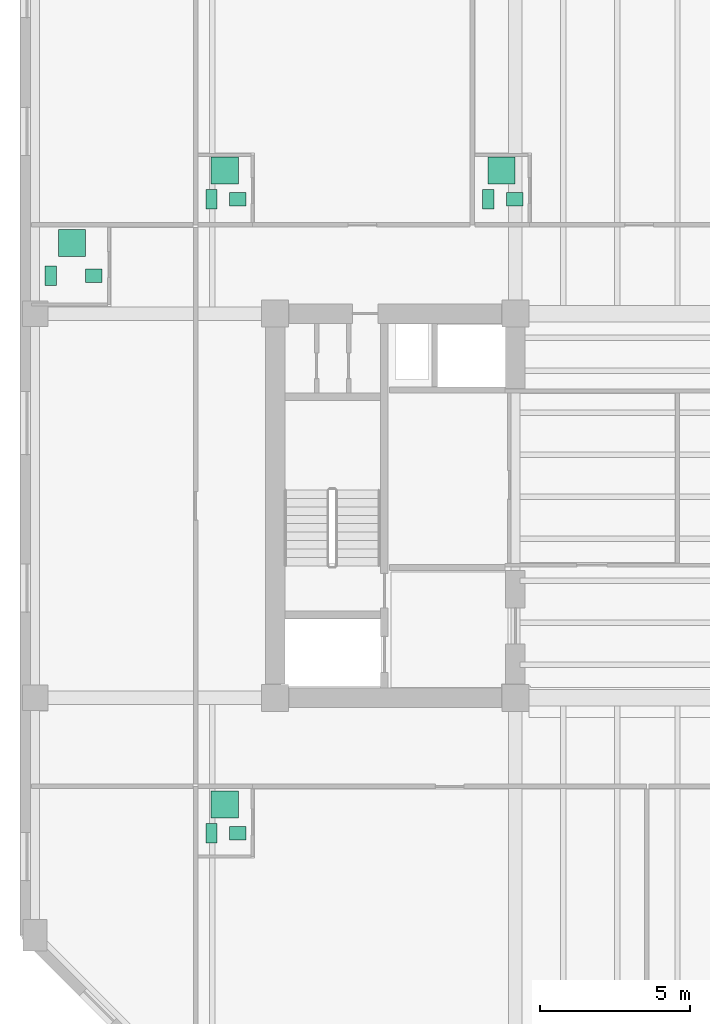
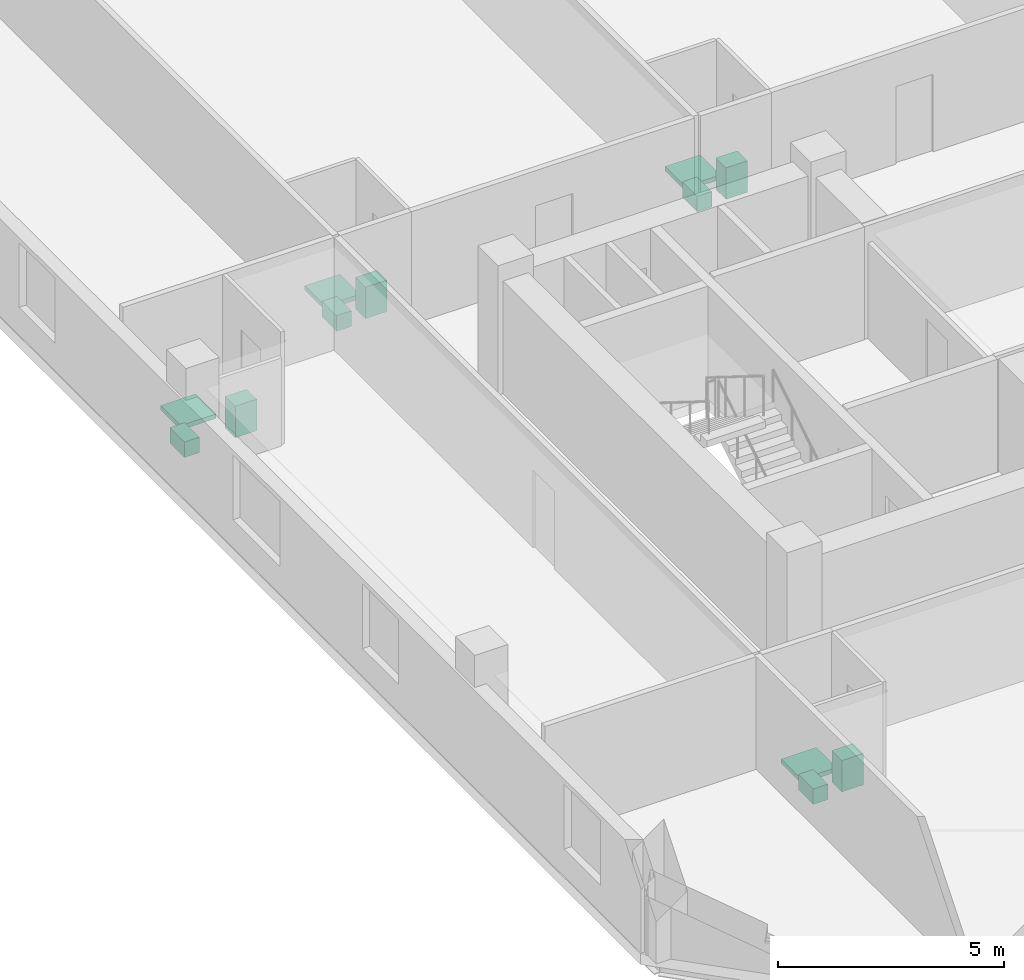
# One storey, part 9 of 9: 12 sanitary terminals.
"""IFC4 building model written with IfcOpenShell, lengths in metres."""

from ifc_helpers import new_model, si_unit, direction, frame, origin, origin_2d, place, context, subcontext, project, spatial, rectangle, extrude, material, type_object, element, save


model = new_model("IFC4")

# Units and contexts
model_context = context("Model", 3, precision=1e-05, world=origin(), true_north=direction((0.0, 1.0)))
body_context = subcontext(model_context, "Body", "Model", "MODEL_VIEW")
ifc_project = project(units=[si_unit("LENGTHUNIT", "METRE"), si_unit("AREAUNIT", "SQUARE_METRE"), si_unit("VOLUMEUNIT", "CUBIC_METRE"), si_unit("PLANEANGLEUNIT", "RADIAN"), si_unit("MASSUNIT", "GRAM", prefix="KILO")], contexts=[model_context])

# Site, building, storey
site_placement = place(None, origin())
site = spatial("IfcSite", under=ifc_project, at=site_placement, CompositionType="ELEMENT")
building_placement = place(site_placement, origin())
building = spatial("IfcBuilding", under=site, at=building_placement, Name="Kranthara Brick Stack", CompositionType="ELEMENT")
storey_placement = place(building_placement, frame((0.0, 0.0, 193.800048828125)))
storey = spatial("IfcBuildingStorey", under=building, at=storey_placement, Name="L50", CompositionType="ELEMENT", Elevation=193.800048828125)

# Sanitary terminals
ifc_material_1 = material(Name="Vitreous china sanitary porcelain", Category="other")
sanitary_terminal_type_1 = type_object("IfcSanitaryTerminalType", Name="SAN-BASIN", PredefinedType="WASHHANDBASIN", material=ifc_material_1)
for number, where, z_axis, x_axis, name in (
    (1, (11.56005859375, 16.294921875, 0.0), (0.0, 0.0, 1.0), (1.0, 0.0, 0.0), "L50 Washbasin 284"),
    (2, (11.56005859375, 37.405029296875, 0.0), (0.0, 0.0, 1.0), (1.0, 0.0, 0.0), "L50 Washbasin 285"),
    (3, (20.780029296875, 37.405029296875, 0.0), (0.0, 0.0, 1.0), (1.0, 0.0, 0.0), "L50 Washbasin 286"),
    (4, (6.760009765625, 34.864990234375, 0.0), (0.0, 0.0, 1.0), (1.0, 0.0, 0.0), "L50 Washbasin 287"),
):
    element("IfcSanitaryTerminal", number, at=place(storey_placement, frame(where, z_axis=z_axis, x_axis=x_axis)), inside=storey, type_object=sanitary_terminal_type_1, Name=name, PredefinedType="WASHHANDBASIN", context=body_context, shape_type="SweptSolid", body=[
        extrude(rectangle(XDim=0.550048828125, YDim=0.449951171875, at=origin_2d()), origin(), (0.0, 0.0, 1.0), 0.85009765625),
    ])
ifc_material_2 = material(Name="Acrylic and porcelain shower tray", Category="other")
sanitary_terminal_type_2 = type_object("IfcSanitaryTerminalType", Name="SAN-SHOWER", PredefinedType="SHOWER", material=ifc_material_2)
for number, where, z_axis, x_axis, name in (
    (5, (11.1201171875, 17.25, 0.0), (0.0, 0.0, 1.0), (1.0, 0.0, 0.0), "L50 Shower Tray 284"),
    (6, (11.1201171875, 38.360107421875, 0.0), (0.0, 0.0, 1.0), (1.0, 0.0, 0.0), "L50 Shower Tray 285"),
    (7, (20.340087890625, 38.360107421875, 0.0), (0.0, 0.0, 1.0), (1.0, 0.0, 0.0), "L50 Shower Tray 286"),
    (8, (6.0400390625, 35.949951171875, 0.0), (0.0, 0.0, 1.0), (1.0, 0.0, 0.0), "L50 Shower Tray 287"),
):
    element("IfcSanitaryTerminal", number, at=place(storey_placement, frame(where, z_axis=z_axis, x_axis=x_axis)), inside=storey, type_object=sanitary_terminal_type_2, Name=name, PredefinedType="SHOWER", context=body_context, shape_type="SweptSolid", body=[
        extrude(rectangle(XDim=0.89990234375, YDim=0.89990234375, at=origin_2d()), origin(), (0.0, 0.0, 1.0), 0.1201171875),
    ])
ifc_material_3 = material(Name="Vitreous china sanitary porcelain", Category="other")
sanitary_terminal_type_3 = type_object("IfcSanitaryTerminalType", Name="SAN-WC-PAN", PredefinedType="TOILETPAN", material=ifc_material_3)
for number, where, z_axis, x_axis, name in (
    (9, (10.679931640625, 16.294921875, 0.0), (0.0, 0.0, 1.0), (1.0, 0.0, 0.0), "L50 WC Pan 284"),
    (10, (10.679931640625, 37.405029296875, 0.0), (0.0, 0.0, 1.0), (1.0, 0.0, 0.0), "L50 WC Pan 285"),
    (11, (19.89990234375, 37.405029296875, 0.0), (0.0, 0.0, 1.0), (1.0, 0.0, 0.0), "L50 WC Pan 286"),
    (12, (5.320068359375, 34.864990234375, 0.0), (0.0, 0.0, 1.0), (1.0, 0.0, 0.0), "L50 WC Pan 287"),
):
    element("IfcSanitaryTerminal", number, at=place(storey_placement, frame(where, z_axis=z_axis, x_axis=x_axis)), inside=storey, type_object=sanitary_terminal_type_3, Name=name, PredefinedType="TOILETPAN", context=body_context, shape_type="SweptSolid", body=[
        extrude(rectangle(XDim=0.3798828125, YDim=0.64990234375, at=origin_2d()), origin(), (0.0, 0.0, 1.0), 0.419921875),
    ])

save(model, "model.ifc")
